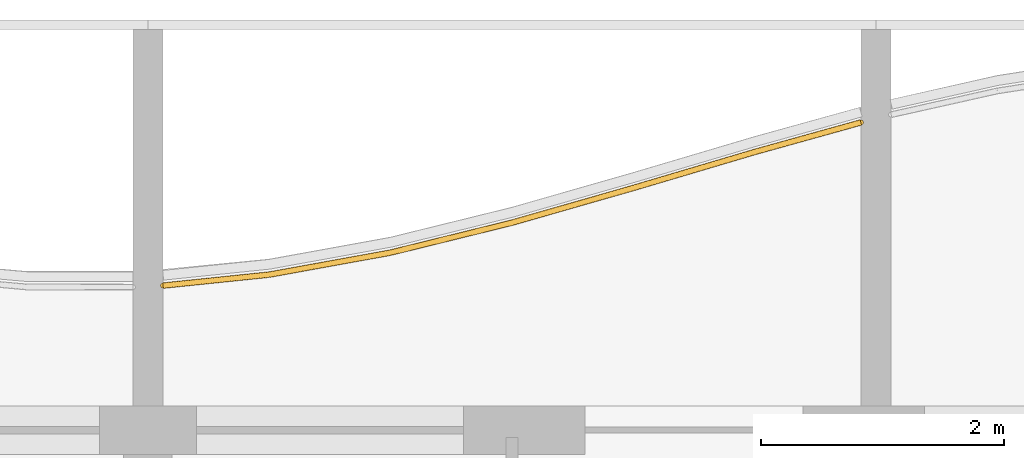
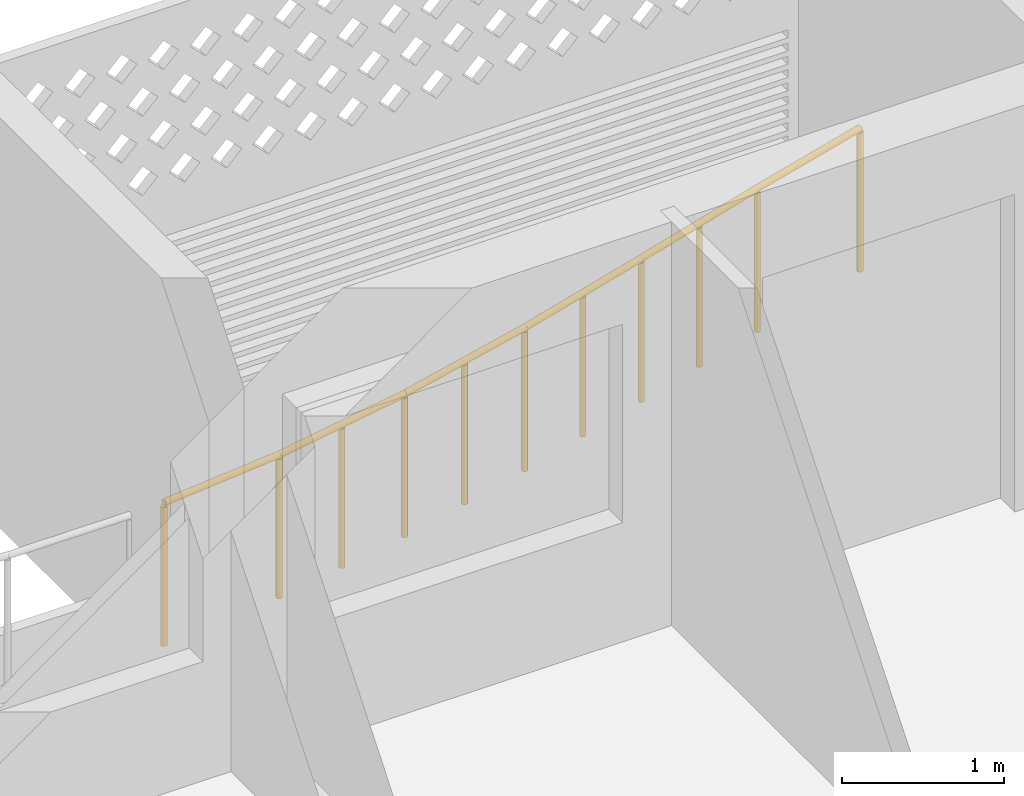
# One storey, part 35 of 40: 1 railing.
"""IFC4 building model written with IfcOpenShell, lengths in metres."""

import ifcopenshell
import ifcopenshell.guid

model = None  # the IFC model being written
_history = None  # IfcOwnerHistory: only IFC2X3 demands one
_inside = {}  # id of a spatial element -> (the spatial element, [elements in it])
_under = {}  # id of a project, library or spatial element -> (it, [spatial elements below it])
_declared = {}  # id of a project -> (the project, [libraries it declares])
_typed = {}  # id of a type object -> (the type object, [elements of that type])
_made_of = {}  # id of a material, layer set ... -> (it, [elements and type objects made of it])


def new_model(schema):
    """Start an empty IFC model of exactly this schema.

    Asked for "IFC4X3", IfcOpenShell would pick the latest addendum, in which some entities
    have other attributes; the version numbers below select the first issue.
    IFC2X3 requires an IfcOwnerHistory on every rooted entity: one is made here for all.
    """
    global model, _history
    if schema == "IFC4X3":
        model = ifcopenshell.file(schema_version=(4, 3, 0, 0))
    else:
        model = ifcopenshell.file(schema=schema)
    _inside.clear()
    _under.clear()
    _declared.clear()
    _typed.clear()
    _made_of.clear()
    _history = None
    if model.schema == "IFC2X3":
        org = make("IfcOrganization", Name="unknown")
        user = make(
            "IfcPersonAndOrganization",
            ThePerson=make("IfcPerson", FamilyName="unknown"),
            TheOrganization=org,
        )
        app = make(
            "IfcApplication",
            ApplicationDeveloper=org,
            Version="unknown",
            ApplicationFullName="unknown",
            ApplicationIdentifier="unknown",
        )
        _history = make(
            "IfcOwnerHistory",
            OwningUser=user,
            OwningApplication=app,
            ChangeAction="ADDED",
            CreationDate=0,
        )
    return model


def make(cls, **values):
    """One entity of the class cls with the attributes given. An attribute that is None is left unset."""
    return model.create_entity(
        cls, **{name: value for name, value in values.items() if value is not None}
    )


def rooted(cls, **values):
    """An entity with a GlobalId (a new one), such as an element, a storey or a relation."""
    return make(cls, GlobalId=ifcopenshell.guid.new(), OwnerHistory=_history, **values)


def si_unit(unit_type, name, prefix=None):
    """IfcSIUnit, for example si_unit("LENGTHUNIT", "METRE", prefix="MILLI")."""
    return make("IfcSIUnit", UnitType=unit_type, Prefix=prefix, Name=name)


def assignment(units):
    """IfcUnitAssignment: the units of a project."""
    return None if units is None else make("IfcUnitAssignment", Units=units)


def point(xyz):
    """IfcCartesianPoint."""
    return None if xyz is None else make("IfcCartesianPoint", Coordinates=xyz)


def direction(xyz):
    """IfcDirection."""
    return None if xyz is None else make("IfcDirection", DirectionRatios=xyz)


def frame(location, z_axis=None, x_axis=None):
    """IfcAxis2Placement3D, a coordinate frame: its origin and axes. An axis left out is left unset."""
    return make(
        "IfcAxis2Placement3D",
        Location=point(location),
        Axis=direction(z_axis),
        RefDirection=direction(x_axis),
    )


def frame_2d(location, x_axis=None):
    """IfcAxis2Placement2D, a coordinate frame in the plane: its origin and x axis."""
    return make(
        "IfcAxis2Placement2D", Location=point(location), RefDirection=direction(x_axis)
    )


def origin():
    """The frame at (0, 0, 0) with its axes left unset."""
    return frame((0.0, 0.0, 0.0))


def origin_2d():
    """The frame at (0, 0) in the plane with its x axis left unset."""
    return frame_2d((0.0, 0.0))


def place(relative_to, where):
    """IfcLocalPlacement: puts the frame where relative to a parent placement (None: the world)."""
    return make(
        "IfcLocalPlacement", PlacementRelTo=relative_to, RelativePlacement=where
    )


def context(
    kind, dimensions, precision=None, world=None, true_north=None, identifier=None
):
    """IfcGeometricRepresentationContext, for example the 3D "Model" context."""
    return make(
        "IfcGeometricRepresentationContext",
        ContextIdentifier=identifier,
        ContextType=kind,
        CoordinateSpaceDimension=dimensions,
        Precision=precision,
        WorldCoordinateSystem=world,
        TrueNorth=true_north,
    )


def subcontext(parent, identifier, kind, view, scale=None):
    """IfcGeometricRepresentationSubContext, for example "Body" below "Model"."""
    return make(
        "IfcGeometricRepresentationSubContext",
        ContextIdentifier=identifier,
        ContextType=kind,
        ParentContext=parent,
        TargetScale=scale,
        TargetView=view,
    )


def project(units=None, contexts=None):
    """IfcProject with its units and contexts."""
    return rooted(
        "IfcProject",
        Name="project",
        RepresentationContexts=contexts,
        UnitsInContext=assignment(units),
    )


def spatial(cls, under=None, at=None, **own):
    """A site, building, storey or space (cls), placed at a placement, below another one or the project."""
    s = rooted(cls, ObjectPlacement=at, **own)
    if under is not None:
        _under.setdefault(under.id(), (under, []))[1].append(s)
    return s


def profile(cls, at=None, kind="AREA", **sizes):
    """A parametric profile (cls). Its sizes go by their IFC names, for example OverallWidth=200.0."""
    return make(cls, ProfileType=kind, Position=at, **sizes)


def circle(**sizes):
    """IfcCircleProfileDef."""
    return profile("IfcCircleProfileDef", **sizes)


def extrude(swept, where, along, depth):
    """IfcExtrudedAreaSolid: the profile swept, set in the frame where, extruded along a direction by depth."""
    return make(
        "IfcExtrudedAreaSolid",
        SweptArea=swept,
        Position=where,
        ExtrudedDirection=direction(along),
        Depth=depth,
    )


def shape(context_of_items, identifier, shape_type, items):
    """IfcShapeRepresentation: the items that make up one representation, for example the "Body"."""
    return make(
        "IfcShapeRepresentation",
        ContextOfItems=context_of_items,
        RepresentationIdentifier=identifier,
        RepresentationType=shape_type,
        Items=items,
    )


def material(Name=None, Category=None):
    """IfcMaterial."""
    return make("IfcMaterial", Name=Name, Category=Category)


def made_of(thing, what):
    """Note that an element or type object is made of a material, layer set ...; save() writes the relation."""
    if what is not None:
        _made_of.setdefault(what.id(), (what, []))[1].append(thing)
    return thing


def type_object(cls, material=None, **own):
    """A type object (cls), such as IfcWallType, which elements share."""
    return made_of(rooted(cls, **own), material)


def element(
    cls,
    number,
    at=None,
    inside=None,
    cuts=None,
    type_object=None,
    material=None,
    context=None,
    identifier="Body",
    shape_type=None,
    held_by="IfcProductDefinitionShape",
    body=None,
    shapes=None,
    **own,
):
    """One element of the class cls, such as IfcWall. Its Tag is "e" and its number.

    at: its placement. inside: the storey or other place that contains it. cuts: it is an
    opening in that element (IfcRelVoidsElement). A single representation is given by context,
    identifier, shape_type and body (its items); several are given by shapes. held_by: the class
    of the entity that holds the representations. save() writes the other relations.
    """
    e = rooted(cls, Tag="e%d" % number, ObjectPlacement=at, **own)
    if body is not None:
        shapes = [shape(context, identifier, shape_type, body)]
    if shapes is not None:
        e.Representation = make(held_by, Representations=shapes)
    if inside is not None:
        _inside.setdefault(inside.id(), (inside, []))[1].append(e)
    if cuts is not None:
        rooted(
            "IfcRelVoidsElement", RelatingBuildingElement=cuts, RelatedOpeningElement=e
        )
    if type_object is not None:
        _typed.setdefault(type_object.id(), (type_object, []))[1].append(e)
    return made_of(e, material)


def aggregate(whole, parts):
    """IfcRelAggregates: a whole, such as a stair, and the parts it consists of."""
    return rooted("IfcRelAggregates", RelatingObject=whole, RelatedObjects=parts)


def save(model, path):
    """Write the relations noted so far, then the file.

    IfcRelAggregates (storeys below a building ...), IfcRelContainedInSpatialStructure (elements
    in a storey), IfcRelDefinesByType, IfcRelAssociatesMaterial and IfcRelDeclares: one each for
    every whole, place, type object, material and project.
    """
    for whole, parts in _under.values():
        aggregate(whole, parts)
    for where, things in _inside.values():
        rooted(
            "IfcRelContainedInSpatialStructure",
            RelatedElements=things,
            RelatingStructure=where,
        )
    for kind, things in _typed.values():
        rooted("IfcRelDefinesByType", RelatedObjects=things, RelatingType=kind)
    for what, things in _made_of.values():
        rooted("IfcRelAssociatesMaterial", RelatedObjects=things, RelatingMaterial=what)
    for by, libraries in _declared.values():
        rooted("IfcRelDeclares", RelatingContext=by, RelatedDefinitions=libraries)
    model.write(path)


model = new_model("IFC4")

# Units and contexts
model_context = context("Model", 3, precision=1e-05, world=origin(), true_north=direction((0.0, 1.0)))
body_context = subcontext(model_context, "Body", "Model", "MODEL_VIEW")
ifc_project = project(units=[si_unit("LENGTHUNIT", "METRE"), si_unit("AREAUNIT", "SQUARE_METRE"), si_unit("VOLUMEUNIT", "CUBIC_METRE"), si_unit("PLANEANGLEUNIT", "RADIAN"), si_unit("MASSUNIT", "GRAM", prefix="KILO")], contexts=[model_context])

# Site, building, storey
site_placement = place(None, origin())
site = spatial("IfcSite", under=ifc_project, at=site_placement, CompositionType="ELEMENT")
building_placement = place(site_placement, origin())
building = spatial("IfcBuilding", under=site, at=building_placement, Name="Poui Terraces", CompositionType="ELEMENT")
storey_placement = place(building_placement, frame((0.0, 0.0, 36.60009765625)))
storey = spatial("IfcBuildingStorey", under=building, at=storey_placement, Name="L09", CompositionType="ELEMENT", Elevation=36.60009765625)

# Railing
ifc_material = material(Name="Painted steel fretwork", Category="steel")
railing_type = type_object("IfcRailingType", Name="BALCONY GUARD 1100", PredefinedType="GUARDRAIL", material=ifc_material)
railing_placement = place(storey_placement, frame((78.125, 45.9912109375, 0.0)))
element("IfcRailing", 1, at=railing_placement, inside=storey, type_object=railing_type, Name="BALCONY GUARD", PredefinedType="GUARDRAIL", context=body_context, shape_type="SweptSolid", body=[
    extrude(circle(Radius=0.02392578125, at=origin_2d()), frame((0.0, 0.0, 1.076171875), z_axis=(0.994684934875, 0.102965432712, 0.0), x_axis=(-0.102965432712, 0.994684934875, 0.0)), (0.0, 0.0, 1.0), 0.879638671875),
    extrude(circle(Radius=0.02392578125, at=origin_2d()), frame((0.875, 0.090576171875, 1.076171875), z_axis=(0.983942855126, 0.178483774746, 0.0), x_axis=(-0.178483774746, 0.983942855126, 0.0)), (0.0, 0.0, 1.0), 1.016357421875),
    extrude(circle(Radius=0.02392578125, at=origin_2d()), frame((1.875, 0.27197265625, 1.076171875), z_axis=(0.970918311966, 0.239411009542, 0.0), x_axis=(-0.239411009542, 0.970918311966, 0.0)), (0.0, 0.0, 1.0), 1.030029296875),
    extrude(circle(Radius=0.02392578125, at=origin_2d()), frame((2.875, 0.5185546875, 1.076171875), z_axis=(0.96141758688, 0.275093118121, 0.0), x_axis=(-0.275093118121, 0.96141758688, 0.0)), (0.0, 0.0, 1.0), 1.0400390625),
    extrude(circle(Radius=0.02392578125, at=origin_2d()), frame((3.875, 0.8046875, 1.076171875), z_axis=(0.958774495191, 0.284168026651, 0.0), x_axis=(-0.284168026651, 0.958774495191, 0.0)), (0.0, 0.0, 1.0), 1.04296875),
    extrude(circle(Radius=0.02392578125, at=origin_2d()), frame((4.875, 1.10107421875, 1.076171875), z_axis=(0.963417712124, 0.268004313334, 0.0), x_axis=(-0.268004313334, 0.963417712124, 0.0)), (0.0, 0.0, 1.0), 0.908203125),
    extrude(circle(Radius=0.02099609375, at=origin_2d()), origin(), (0.0, 0.0, 1.0), 1.052001953125),
    extrude(circle(Radius=0.02099609375, at=origin_2d()), frame((0.875, 0.090576171875, 0.0)), (0.0, 0.0, 1.0), 1.052001953125),
    extrude(circle(Radius=0.02099609375, at=origin_2d()), frame((1.375, 0.18115234375, 0.0)), (0.0, 0.0, 1.0), 1.052001953125),
    extrude(circle(Radius=0.02099609375, at=origin_2d()), frame((1.875, 0.27197265625, 0.0)), (0.0, 0.0, 1.0), 1.052001953125),
    extrude(circle(Radius=0.02099609375, at=origin_2d()), frame((2.375, 0.395263671875, 0.0)), (0.0, 0.0, 1.0), 1.052001953125),
    extrude(circle(Radius=0.02099609375, at=origin_2d()), frame((2.875, 0.5185546875, 0.0)), (0.0, 0.0, 1.0), 1.052001953125),
    extrude(circle(Radius=0.02099609375, at=origin_2d()), frame((3.375, 0.66162109375, 0.0)), (0.0, 0.0, 1.0), 1.052001953125),
    extrude(circle(Radius=0.02099609375, at=origin_2d()), frame((3.875, 0.8046875, 0.0)), (0.0, 0.0, 1.0), 1.052001953125),
    extrude(circle(Radius=0.02099609375, at=origin_2d()), frame((4.375, 0.952880859375, 0.0)), (0.0, 0.0, 1.0), 1.052001953125),
    extrude(circle(Radius=0.02099609375, at=origin_2d()), frame((4.875, 1.10107421875, 0.0)), (0.0, 0.0, 1.0), 1.052001953125),
    extrude(circle(Radius=0.02099609375, at=origin_2d()), frame((5.75, 1.344482421875, 0.0)), (0.0, 0.0, 1.0), 1.052001953125),
])

save(model, "model.ifc")
